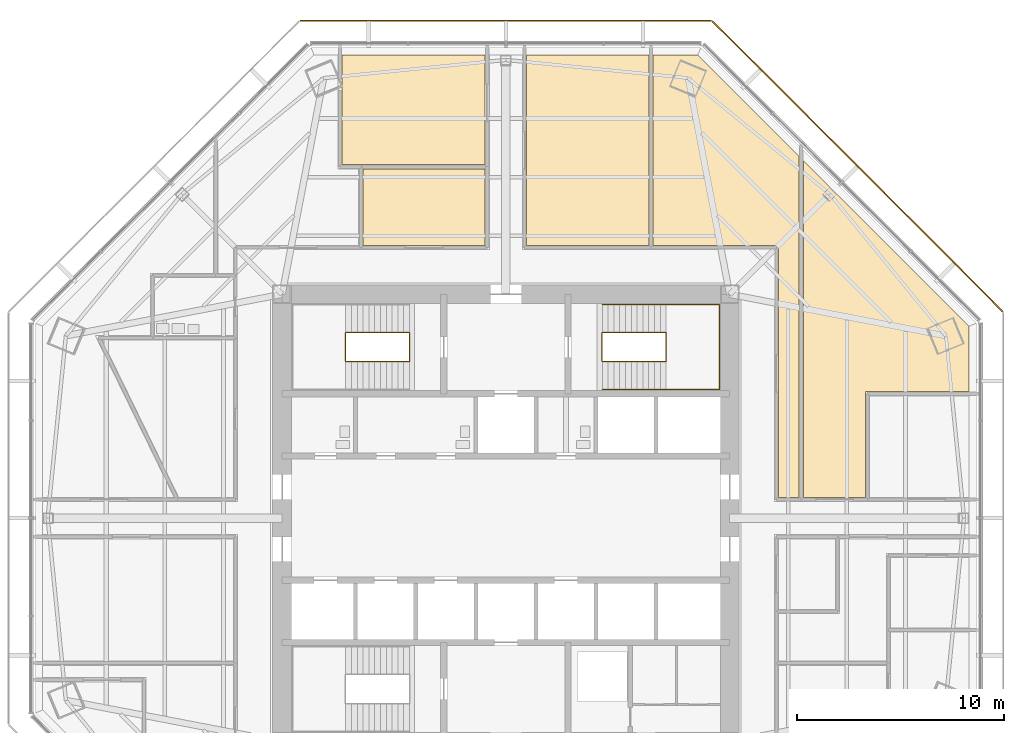
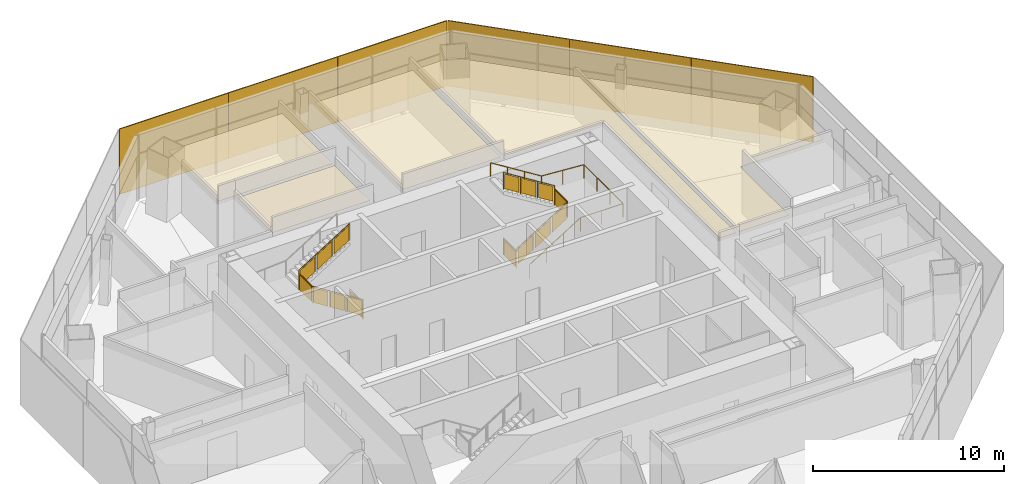
# One storey, part 13 of 14: 6 shading devices, 5 coverings, 3 railings.
"""IFC4 building model written with IfcOpenShell, lengths in metres."""

from ifc_helpers import new_model, si_unit, direction, frame, origin, origin_2d, place, context, subcontext, project, spatial, polyline, rectangle, circle, outline, extrude, source, transform, mapped, material, layer, layer_set, type_object, type_shapes, element, save


model = new_model("IFC4")

# Units and contexts
model_context = context("Model", 3, precision=1e-05, world=origin(), true_north=direction((0.0, 1.0)))
body_context = subcontext(model_context, "Body", "Model", "MODEL_VIEW")
ifc_project = project(units=[si_unit("LENGTHUNIT", "METRE"), si_unit("AREAUNIT", "SQUARE_METRE"), si_unit("VOLUMEUNIT", "CUBIC_METRE"), si_unit("PLANEANGLEUNIT", "RADIAN"), si_unit("MASSUNIT", "GRAM", prefix="KILO")], contexts=[model_context])

# Site, building, storey
site_placement = place(None, origin())
site = spatial("IfcSite", under=ifc_project, at=site_placement, CompositionType="ELEMENT")
building_placement = place(site_placement, origin())
building = spatial("IfcBuilding", under=site, at=building_placement, Name="Mashrafa Tower", CompositionType="ELEMENT")
storey_placement = place(building_placement, frame((0.0, 0.0, 180.60009765625)))
storey = spatial("IfcBuildingStorey", under=building, at=storey_placement, Name="L41", CompositionType="ELEMENT", Elevation=180.60009765625)

# Railings
ifc_material_1 = material(Name="Steel guard with glass infill", Category="steel")
railing_type_1 = type_object("IfcRailingType", Name="Stair guard 1100", PredefinedType="GUARDRAIL", material=ifc_material_1)
railing_1_placement = place(storey_placement, frame((-4.64990234375, 8.949951171875, 0.0)))
element("IfcRailing", 1, at=railing_1_placement, inside=storey, type_object=railing_type_1, Name="Stair S1 guard L41", PredefinedType="GUARDRAIL", context=body_context, shape_type="SweptSolid", body=[
    extrude(circle(Radius=0.02392578125, at=origin_2d()), frame((0.0, 0.0, 1.076171875), z_axis=(0.0, -1.0, 0.0), x_axis=(1.0, 0.0, 0.0)), (0.0, 0.0, 1.0), 1.39990234375),
    extrude(circle(Radius=0.02392578125, at=origin_2d()), frame((0.0, -1.39990234375, 1.076171875), z_axis=(0.0, 0.0, 1.0), x_axis=(1.0, 0.0, 0.0)), (0.0, 0.0, 1.0), 0.1748046875),
    extrude(circle(Radius=0.02392578125, at=origin_2d()), frame((0.0, -1.39990234375, 1.2509765625), z_axis=(-0.847998304005, 0.0, 0.529998940003), x_axis=(0.0, -1.0, 0.0)), (0.0, 0.0, 1.0), 3.632080078125),
    extrude(circle(Radius=0.02392578125, at=origin_2d()), frame((-3.080078125, -1.39990234375, 3.17578125), z_axis=(0.0, 1.0, 0.0), x_axis=(-1.0, 0.0, 0.0)), (0.0, 0.0, 1.0), 1.39990234375),
    extrude(circle(Radius=0.02392578125, at=origin_2d()), frame((-3.080078125, 0.0, 3.17578125), z_axis=(0.0, 0.0, 1.0), x_axis=(1.0, 0.0, 0.0)), (0.0, 0.0, 1.0), 0.175048828125),
    extrude(circle(Radius=0.02392578125, at=origin_2d()), frame((-3.080078125, 0.0, 3.35107421875), z_axis=(0.847998304005, 0.0, 0.529998940003), x_axis=(0.0, 1.0, 0.0)), (0.0, 0.0, 1.0), 3.632080078125),
    extrude(circle(Radius=0.02099609375, at=origin_2d()), origin(), (0.0, 0.0, 1.0), 1.052001953125),
    extrude(circle(Radius=0.02099609375, at=origin_2d()), frame((0.0, -1.39990234375, 0.0)), (0.0, 0.0, 1.0), 1.052001953125),
    extrude(circle(Radius=0.02099609375, at=origin_2d()), frame((0.0, -1.39990234375, 0.1748046875)), (0.0, 0.0, 1.0), 1.052001953125),
    extrude(circle(Radius=0.02099609375, at=origin_2d()), frame((-1.026611328125, -1.39990234375, 0.81640625)), (0.0, 0.0, 1.0), 1.052001953125),
    extrude(circle(Radius=0.02099609375, at=origin_2d()), frame((-2.053466796875, -1.39990234375, 1.458251953125)), (0.0, 0.0, 1.0), 1.052001953125),
    extrude(circle(Radius=0.02099609375, at=origin_2d()), frame((-3.080078125, -1.39990234375, 2.099853515625)), (0.0, 0.0, 1.0), 1.052001953125),
    extrude(circle(Radius=0.02099609375, at=origin_2d()), frame((-3.080078125, 0.0, 2.099853515625)), (0.0, 0.0, 1.0), 1.052001953125),
    extrude(circle(Radius=0.02099609375, at=origin_2d()), frame((-3.080078125, 0.0, 2.27490234375)), (0.0, 0.0, 1.0), 1.052001953125),
    extrude(circle(Radius=0.02099609375, at=origin_2d()), frame((-2.053466796875, 0.0, 2.91650390625)), (0.0, 0.0, 1.0), 1.052001953125),
    extrude(circle(Radius=0.02099609375, at=origin_2d()), frame((-1.026611328125, 0.0, 3.558349609375)), (0.0, 0.0, 1.0), 1.052001953125),
    extrude(circle(Radius=0.02099609375, at=origin_2d()), frame((0.0, 0.0, 4.199951171875)), (0.0, 0.0, 1.0), 1.052001953125),
    extrude(outline(polyline([(0.071044921875, 0.050048828125), (1.328857421875, 0.050048828125), (1.328857421875, 1.001953125), (0.071044921875, 1.001953125), (0.071044921875, 0.050048828125)])), frame((-0.006103515625, 0.0, 0.0), z_axis=(-1.0, 0.0, 0.0), x_axis=(0.0, -1.0, 0.0)), (0.0, 0.0, 1.0), 0.011962890625),
    extrude(outline(polyline([(0.071044921875, 0.094482421875), (0.955810546875, 0.647216796875), (0.955810546875, 1.599365234375), (0.071044921875, 1.04638671875), (0.071044921875, 0.094482421875)])), frame((0.0, -1.393798828125, 0.1748046875), z_axis=(0.0, 1.0, 0.0), x_axis=(-1.0, 0.0, 0.0)), (0.0, 0.0, 1.0), 0.011962890625),
    extrude(outline(polyline([(1.09765625, 0.736083984375), (1.982421875, 1.2890625), (1.982421875, 2.240966796875), (1.09765625, 1.68798828125), (1.09765625, 0.736083984375)])), frame((0.0, -1.393798828125, 0.1748046875), z_axis=(0.0, 1.0, 0.0), x_axis=(-1.0, 0.0, 0.0)), (0.0, 0.0, 1.0), 0.011962890625),
    extrude(outline(polyline([(2.124267578125, 1.377685546875), (3.009033203125, 1.9306640625), (3.009033203125, 2.882568359375), (2.124267578125, 2.329833984375), (2.124267578125, 1.377685546875)])), frame((0.0, -1.393798828125, 0.1748046875), z_axis=(0.0, 1.0, 0.0), x_axis=(-1.0, 0.0, 0.0)), (0.0, 0.0, 1.0), 0.011962890625),
    extrude(outline(polyline([(0.071044921875, 0.050048828125), (1.328857421875, 0.050048828125), (1.328857421875, 1.001953125), (0.071044921875, 1.001953125), (0.071044921875, 0.050048828125)])), frame((-3.073974609375, -1.39990234375, 2.099853515625), z_axis=(1.0, 0.0, 0.0), x_axis=(0.0, 1.0, 0.0)), (0.0, 0.0, 1.0), 0.011962890625),
    extrude(outline(polyline([(0.071044921875, 0.094482421875), (0.955810546875, 0.647216796875), (0.955810546875, 1.599365234375), (0.071044921875, 1.04638671875), (0.071044921875, 0.094482421875)])), frame((-3.080078125, -0.006103515625, 2.27490234375), z_axis=(0.0, -1.0, 0.0), x_axis=(1.0, 0.0, 0.0)), (0.0, 0.0, 1.0), 0.011962890625),
    extrude(outline(polyline([(1.09765625, 0.736083984375), (1.982421875, 1.2890625), (1.982421875, 2.240966796875), (1.09765625, 1.68798828125), (1.09765625, 0.736083984375)])), frame((-3.080078125, -0.006103515625, 2.27490234375), z_axis=(0.0, -1.0, 0.0), x_axis=(1.0, 0.0, 0.0)), (0.0, 0.0, 1.0), 0.011962890625),
    extrude(outline(polyline([(2.124267578125, 1.377685546875), (3.009033203125, 1.9306640625), (3.009033203125, 2.882568359375), (2.124267578125, 2.329833984375), (2.124267578125, 1.377685546875)])), frame((-3.080078125, -0.006103515625, 2.27490234375), z_axis=(0.0, -1.0, 0.0), x_axis=(1.0, 0.0, 0.0)), (0.0, 0.0, 1.0), 0.011962890625),
])
railing_2_placement = place(storey_placement, frame((4.64990234375, 8.949951171875, 0.0)))
element("IfcRailing", 2, at=railing_2_placement, inside=storey, type_object=railing_type_1, Name="Stair S2 guard L41", PredefinedType="GUARDRAIL", context=body_context, shape_type="SweptSolid", body=[
    extrude(circle(Radius=0.02392578125, at=origin_2d()), frame((0.0, 0.0, 1.076171875), z_axis=(0.0, -1.0, 0.0), x_axis=(1.0, 0.0, 0.0)), (0.0, 0.0, 1.0), 1.39990234375),
    extrude(circle(Radius=0.02392578125, at=origin_2d()), frame((0.0, -1.39990234375, 1.076171875), z_axis=(0.0, 0.0, 1.0), x_axis=(1.0, 0.0, 0.0)), (0.0, 0.0, 1.0), 0.1748046875),
    extrude(circle(Radius=0.02392578125, at=origin_2d()), frame((0.0, -1.39990234375, 1.2509765625), z_axis=(0.847998304005, 0.0, 0.529998940003), x_axis=(0.0, 1.0, 0.0)), (0.0, 0.0, 1.0), 3.632080078125),
    extrude(circle(Radius=0.02392578125, at=origin_2d()), frame((3.080078125, -1.39990234375, 3.17578125), z_axis=(0.0, 1.0, 0.0), x_axis=(-1.0, 0.0, 0.0)), (0.0, 0.0, 1.0), 1.39990234375),
    extrude(circle(Radius=0.02392578125, at=origin_2d()), frame((3.080078125, 0.0, 3.17578125), z_axis=(0.0, 0.0, 1.0), x_axis=(1.0, 0.0, 0.0)), (0.0, 0.0, 1.0), 0.175048828125),
    extrude(circle(Radius=0.02392578125, at=origin_2d()), frame((3.080078125, 0.0, 3.35107421875), z_axis=(-0.847998304005, 0.0, 0.529998940003), x_axis=(0.0, -1.0, 0.0)), (0.0, 0.0, 1.0), 3.632080078125),
    extrude(circle(Radius=0.02099609375, at=origin_2d()), origin(), (0.0, 0.0, 1.0), 1.052001953125),
    extrude(circle(Radius=0.02099609375, at=origin_2d()), frame((0.0, -1.39990234375, 0.0)), (0.0, 0.0, 1.0), 1.052001953125),
    extrude(circle(Radius=0.02099609375, at=origin_2d()), frame((0.0, -1.39990234375, 0.1748046875)), (0.0, 0.0, 1.0), 1.052001953125),
    extrude(circle(Radius=0.02099609375, at=origin_2d()), frame((1.026611328125, -1.39990234375, 0.81640625)), (0.0, 0.0, 1.0), 1.052001953125),
    extrude(circle(Radius=0.02099609375, at=origin_2d()), frame((2.053466796875, -1.39990234375, 1.458251953125)), (0.0, 0.0, 1.0), 1.052001953125),
    extrude(circle(Radius=0.02099609375, at=origin_2d()), frame((3.080078125, -1.39990234375, 2.099853515625)), (0.0, 0.0, 1.0), 1.052001953125),
    extrude(circle(Radius=0.02099609375, at=origin_2d()), frame((3.080078125, 0.0, 2.099853515625)), (0.0, 0.0, 1.0), 1.052001953125),
    extrude(circle(Radius=0.02099609375, at=origin_2d()), frame((3.080078125, 0.0, 2.27490234375)), (0.0, 0.0, 1.0), 1.052001953125),
    extrude(circle(Radius=0.02099609375, at=origin_2d()), frame((2.053466796875, 0.0, 2.91650390625)), (0.0, 0.0, 1.0), 1.052001953125),
    extrude(circle(Radius=0.02099609375, at=origin_2d()), frame((1.026611328125, 0.0, 3.558349609375)), (0.0, 0.0, 1.0), 1.052001953125),
    extrude(circle(Radius=0.02099609375, at=origin_2d()), frame((0.0, 0.0, 4.199951171875)), (0.0, 0.0, 1.0), 1.052001953125),
    extrude(outline(polyline([(0.071044921875, 0.050048828125), (1.328857421875, 0.050048828125), (1.328857421875, 1.001953125), (0.071044921875, 1.001953125), (0.071044921875, 0.050048828125)])), frame((-0.006103515625, 0.0, 0.0), z_axis=(-1.0, 0.0, 0.0), x_axis=(0.0, -1.0, 0.0)), (0.0, 0.0, 1.0), 0.011962890625),
    extrude(outline(polyline([(0.071044921875, 0.094482421875), (0.955810546875, 0.647216796875), (0.955810546875, 1.599365234375), (0.071044921875, 1.04638671875), (0.071044921875, 0.094482421875)])), frame((0.0, -1.406005859375, 0.1748046875), z_axis=(0.0, -1.0, 0.0), x_axis=(1.0, 0.0, 0.0)), (0.0, 0.0, 1.0), 0.011962890625),
    extrude(outline(polyline([(1.09765625, 0.736083984375), (1.982421875, 1.2890625), (1.982421875, 2.240966796875), (1.09765625, 1.68798828125), (1.09765625, 0.736083984375)])), frame((0.0, -1.406005859375, 0.1748046875), z_axis=(0.0, -1.0, 0.0), x_axis=(1.0, 0.0, 0.0)), (0.0, 0.0, 1.0), 0.011962890625),
    extrude(outline(polyline([(2.124267578125, 1.377685546875), (3.009033203125, 1.9306640625), (3.009033203125, 2.882568359375), (2.124267578125, 2.329833984375), (2.124267578125, 1.377685546875)])), frame((0.0, -1.406005859375, 0.1748046875), z_axis=(0.0, -1.0, 0.0), x_axis=(1.0, 0.0, 0.0)), (0.0, 0.0, 1.0), 0.011962890625),
    extrude(outline(polyline([(0.071044921875, 0.050048828125), (1.328857421875, 0.050048828125), (1.328857421875, 1.001953125), (0.071044921875, 1.001953125), (0.071044921875, 0.050048828125)])), frame((3.086181640625, -1.39990234375, 2.099853515625), z_axis=(1.0, 0.0, 0.0), x_axis=(0.0, 1.0, 0.0)), (0.0, 0.0, 1.0), 0.011962890625),
    extrude(outline(polyline([(0.071044921875, 0.094482421875), (0.955810546875, 0.647216796875), (0.955810546875, 1.599365234375), (0.071044921875, 1.04638671875), (0.071044921875, 0.094482421875)])), frame((3.080078125, 0.006103515625, 2.27490234375), z_axis=(0.0, 1.0, 0.0), x_axis=(-1.0, 0.0, 0.0)), (0.0, 0.0, 1.0), 0.011962890625),
    extrude(outline(polyline([(1.09765625, 0.736083984375), (1.982421875, 1.2890625), (1.982421875, 2.240966796875), (1.09765625, 1.68798828125), (1.09765625, 0.736083984375)])), frame((3.080078125, 0.006103515625, 2.27490234375), z_axis=(0.0, 1.0, 0.0), x_axis=(-1.0, 0.0, 0.0)), (0.0, 0.0, 1.0), 0.011962890625),
    extrude(outline(polyline([(2.124267578125, 1.377685546875), (3.009033203125, 1.9306640625), (3.009033203125, 2.882568359375), (2.124267578125, 2.329833984375), (2.124267578125, 1.377685546875)])), frame((3.080078125, 0.006103515625, 2.27490234375), z_axis=(0.0, 1.0, 0.0), x_axis=(-1.0, 0.0, 0.0)), (0.0, 0.0, 1.0), 0.011962890625),
])
ifc_material_2 = material(Name="Steel", Category="steel")
railing_type_2 = type_object("IfcRailingType", Name="Stair handrail 900", PredefinedType="HANDRAIL", material=ifc_material_2)
railing_3_placement = place(storey_placement, frame((4.64990234375, 6.199951171875, 0.1748046875)))
element("IfcRailing", 3, at=railing_3_placement, inside=storey, type_object=railing_type_2, Name="Stair S2 handrail L41", PredefinedType="HANDRAIL", context=body_context, shape_type="SweptSolid", body=[
    extrude(circle(Radius=0.02392578125, at=origin_2d()), frame((0.0, 0.0, 0.8759765625), z_axis=(0.847998304005, 0.0, 0.529998940003), x_axis=(0.0, 1.0, 0.0)), (0.0, 0.0, 1.0), 3.632080078125),
    extrude(circle(Radius=0.02392578125, at=origin_2d()), frame((3.080078125, 0.0, 2.80078125), z_axis=(1.0, 0.0, 0.0), x_axis=(0.0, 1.0, 0.0)), (0.0, 0.0, 1.0), 2.570068359375),
    extrude(circle(Radius=0.02392578125, at=origin_2d()), frame((5.650146484375, 0.0, 2.80078125), z_axis=(0.0, 1.0, 0.0), x_axis=(-1.0, 0.0, 0.0)), (0.0, 0.0, 1.0), 4.10009765625),
    extrude(circle(Radius=0.02392578125, at=origin_2d()), frame((5.650146484375, 4.10009765625, 2.80078125), z_axis=(-0.997688514158, 0.0, 0.067953136188), x_axis=(0.0, -1.0, 0.0)), (0.0, 0.0, 1.0), 2.575927734375),
    extrude(circle(Radius=0.02392578125, at=origin_2d()), frame((3.080078125, 4.10009765625, 2.97607421875), z_axis=(-0.847998304005, 0.0, 0.529998940003), x_axis=(0.0, -1.0, 0.0)), (0.0, 0.0, 1.0), 3.632080078125),
    extrude(circle(Radius=0.02099609375, at=origin_2d()), origin(), (0.0, 0.0, 1.0), 0.851806640625),
    extrude(circle(Radius=0.02099609375, at=origin_2d()), frame((1.026611328125, 0.0, 0.6416015625)), (0.0, 0.0, 1.0), 0.851806640625),
    extrude(circle(Radius=0.02099609375, at=origin_2d()), frame((2.053466796875, 0.0, 1.283447265625)), (0.0, 0.0, 1.0), 0.851806640625),
    extrude(circle(Radius=0.02099609375, at=origin_2d()), frame((3.080078125, 0.0, 1.925048828125)), (0.0, 0.0, 1.0), 0.851806640625),
    extrude(circle(Radius=0.02099609375, at=origin_2d()), frame((4.365234375, 0.0, 1.925048828125)), (0.0, 0.0, 1.0), 0.851806640625),
    extrude(circle(Radius=0.02099609375, at=origin_2d()), frame((5.650146484375, 0.0, 1.925048828125)), (0.0, 0.0, 1.0), 0.851806640625),
    extrude(circle(Radius=0.02099609375, at=origin_2d()), frame((5.650146484375, 1.36669921875, 1.925048828125)), (0.0, 0.0, 1.0), 0.851806640625),
    extrude(circle(Radius=0.02099609375, at=origin_2d()), frame((5.650146484375, 2.7333984375, 1.925048828125)), (0.0, 0.0, 1.0), 0.851806640625),
    extrude(circle(Radius=0.02099609375, at=origin_2d()), frame((5.650146484375, 4.10009765625, 1.925048828125)), (0.0, 0.0, 1.0), 0.851806640625),
    extrude(circle(Radius=0.02099609375, at=origin_2d()), frame((4.365234375, 4.10009765625, 2.0126953125)), (0.0, 0.0, 1.0), 0.851806640625),
    extrude(circle(Radius=0.02099609375, at=origin_2d()), frame((3.080078125, 4.10009765625, 2.10009765625)), (0.0, 0.0, 1.0), 0.851806640625),
    extrude(circle(Radius=0.02099609375, at=origin_2d()), frame((2.053466796875, 4.10009765625, 2.74169921875)), (0.0, 0.0, 1.0), 0.851806640625),
    extrude(circle(Radius=0.02099609375, at=origin_2d()), frame((1.026611328125, 4.10009765625, 3.383544921875)), (0.0, 0.0, 1.0), 0.851806640625),
    extrude(circle(Radius=0.02099609375, at=origin_2d()), frame((0.0, 4.10009765625, 4.025146484375)), (0.0, 0.0, 1.0), 0.851806640625),
])

# Coverings
ifc_material_3 = material(Name="Mineral fibre tile on suspension grid")
ifc_layer_1 = layer(ifc_material_3, 0.014892578125)
ifc_layer_set_1 = layer_set([ifc_layer_1], Name="Suspended ceiling mineral tile 15")
covering_type = type_object("IfcCoveringType", Name="Suspended ceiling mineral tile 15", PredefinedType="CEILING", material=ifc_layer_set_1)
covering_1_placement = place(storey_placement, frame((0.0, 0.0, 2.89990234375)))
element("IfcCovering", 4, at=covering_1_placement, inside=storey, type_object=covering_type, Name="Ceiling Board Room 41", PredefinedType="CEILING", context=body_context, shape_type="SweptSolid", body=[
    extrude(outline(polyline([(-7.89990234375, 22.355712890625), (-1.0, 22.355712890625), (-1.0, 17.055908203125), (-7.89990234375, 17.055908203125), (-7.89990234375, 22.355712890625)])), origin(), (0.0, 0.0, 1.0), 0.014892578125),
])
covering_2_placement = place(storey_placement, frame((0.0, 0.0, 2.89990234375)))
element("IfcCovering", 5, at=covering_2_placement, inside=storey, type_object=covering_type, Name="Ceiling Board Secretariat Office 41-NE3", PredefinedType="CEILING", context=body_context, shape_type="SweptSolid", body=[
    extrude(outline(polyline([(14.35009765625, 1.0), (14.35009765625, 17.265869140625), (22.355712890625, 9.260009765625), (22.355712890625, 6.10009765625), (17.355712890625, 6.10009765625), (17.355712890625, 1.0), (14.35009765625, 1.0)])), origin(), (0.0, 0.0, 1.0), 0.014892578125),
])
covering_3_placement = place(storey_placement, frame((0.0, 0.0, 2.89990234375)))
element("IfcCovering", 6, at=covering_3_placement, inside=storey, type_object=covering_type, Name="Ceiling Corporate Affairs Office 41-NE2", PredefinedType="CEILING", context=body_context, shape_type="SweptSolid", body=[
    extrude(outline(polyline([(7.10009765625, 13.14990234375), (7.10009765625, 22.355712890625), (9.260009765625, 22.355712890625), (14.14990234375, 17.4658203125), (14.14990234375, 1.0), (13.14990234375, 1.0), (13.14990234375, 13.14990234375), (7.10009765625, 13.14990234375)])), origin(), (0.0, 0.0, 1.0), 0.014892578125),
])
covering_4_placement = place(storey_placement, frame((0.0, 0.0, 2.89990234375)))
element("IfcCovering", 7, at=covering_4_placement, inside=storey, type_object=covering_type, Name="Ceiling General Counsel's Office 41-NE1", PredefinedType="CEILING", context=body_context, shape_type="SweptSolid", body=[
    extrude(outline(polyline([(1.0, 22.355712890625), (6.89990234375, 22.355712890625), (6.89990234375, 13.14990234375), (1.0, 13.14990234375), (1.0, 22.355712890625)])), origin(), (0.0, 0.0, 1.0), 0.014892578125),
])
covering_5_placement = place(storey_placement, frame((0.0, 0.0, 2.89990234375)))
element("IfcCovering", 8, at=covering_5_placement, inside=storey, type_object=covering_type, Name="Ceiling General Counsel's Office 41-NW1", PredefinedType="CEILING", context=body_context, shape_type="SweptSolid", body=[
    extrude(outline(polyline([(-6.89990234375, 13.14990234375), (-6.89990234375, 16.855712890625), (-1.0, 16.855712890625), (-1.0, 13.14990234375), (-6.89990234375, 13.14990234375)])), origin(), (0.0, 0.0, 1.0), 0.014892578125),
])

# Shading devices
ifc_material_4 = material(Name="Perforated aluminium plate, eight-point star pattern", Category="aluminium")
ifc_layer_2 = layer(ifc_material_4, 0.06005859375)
ifc_layer_set_2 = layer_set([ifc_layer_2], Name="Mashrabiya screen panel office zone 2, 40 percent open")
shading_device_type = type_object("IfcShadingDeviceType", Name="Mashrabiya screen panel office zone 2, 40 percent open", PredefinedType="SHUTTER", material=ifc_layer_set_2)
shared_shape = source(origin(), body_context, "Body", "SweptSolid", [
    extrude(rectangle(XDim=6.593994140625, YDim=0.06005859375, at=origin_2d()), origin(), (0.0, 0.0, 1.0), 4.179931640625),
])
type_shapes(shading_device_type, [shared_shape])
for number, where, z_axis, x_axis, name in (
    (9, (21.651611328125, 12.2978515625, -0.14990234375), (0.0, 0.0, 1.0), (-0.707106781187, 0.707106781187, 0.0), "Mashrabiya screen L41 north-east 1"),
    (10, (16.974609375, 16.974609375, -0.14990234375), (0.0, 0.0, 1.0), (-0.707106781187, 0.707106781187, 0.0), "Mashrabiya screen L41 north-east 2"),
    (11, (12.2978515625, 21.651611328125, -0.14990234375), (0.0, 0.0, 1.0), (-0.707106781187, 0.707106781187, 0.0), "Mashrabiya screen L41 north-east 3"),
    (12, (6.614013671875, 24.005859375, -0.14990234375), (0.0, 0.0, 1.0), (-1.0, 0.0, 0.0), "Mashrabiya screen L41 north 1"),
    (13, (0.0, 24.005859375, -0.14990234375), (0.0, 0.0, 1.0), (-1.0, 0.0, 0.0), "Mashrabiya screen L41 north 2"),
    (14, (-6.614013671875, 24.005859375, -0.14990234375), (0.0, 0.0, 1.0), (-1.0, 0.0, 0.0), "Mashrabiya screen L41 north 3"),
):
    element("IfcShadingDevice", number, at=place(storey_placement, frame(where, z_axis=z_axis, x_axis=x_axis)), inside=storey, type_object=shading_device_type, Name=name, PredefinedType="SHUTTER", context=body_context, shape_type="MappedRepresentation", body=[
        mapped(shared_shape, transform((0.0, 0.0, 0.0))),
    ])

save(model, "model.ifc")
